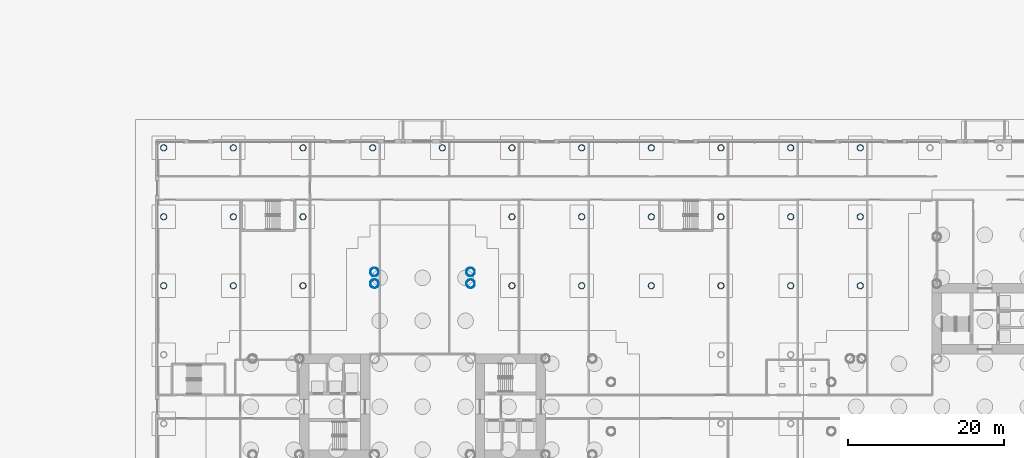
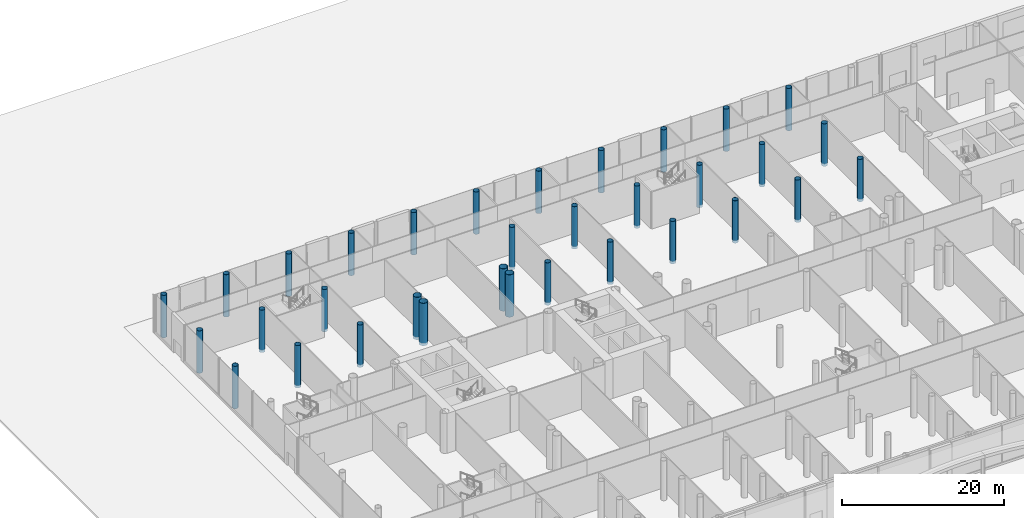
# One storey, part 4 of 75: 33 columns.
"""IFC4 building model written with IfcOpenShell, lengths in metres."""

from ifc_helpers import new_model, si_unit, direction, frame, origin, origin_2d, place, context, subcontext, project, spatial, hollow_circle, extrude, material, material_profile, profile_set, type_object, element, save


model = new_model("IFC4")

# Units and contexts
model_context = context("Model", 3, precision=1e-05, world=origin(), true_north=direction((0.0, 1.0)))
body_context = subcontext(model_context, "Body", "Model", "MODEL_VIEW")
ifc_project = project(units=[si_unit("LENGTHUNIT", "METRE"), si_unit("AREAUNIT", "SQUARE_METRE"), si_unit("VOLUMEUNIT", "CUBIC_METRE"), si_unit("PLANEANGLEUNIT", "RADIAN"), si_unit("MASSUNIT", "GRAM", prefix="KILO")], contexts=[model_context])

# Site, building, storey
site_placement = place(None, origin())
site = spatial("IfcSite", under=ifc_project, at=site_placement, CompositionType="ELEMENT")
building_placement = place(site_placement, origin())
building = spatial("IfcBuilding", under=site, at=building_placement, Name="Ipe Terrace Towers", CompositionType="ELEMENT")
storey_placement = place(building_placement, origin())
storey = spatial("IfcBuildingStorey", under=building, at=storey_placement, Name="L00", CompositionType="ELEMENT", Elevation=0.0)

# Columns
ifc_material_1 = material(Name="Steel S355 tube with Concrete C60/75 fill", Category="concrete")
ifc_material_profile_1 = material_profile(ifc_material_1, hollow_circle(Radius=0.550048828125, WallThickness=0.0400390625, at=origin_2d()), Name="CHS-1100x40")
ifc_profile_set_1 = profile_set([ifc_material_profile_1], Name="Steel S355 tube with Concrete C60/75 fill")
column_type_1 = type_object("IfcColumnType", Name="CH02 COLUMN CHS-1100x40", PredefinedType="COLUMN", material=ifc_profile_set_1)
for number, where, z_axis, x_axis, name in (
    (1, (-29.85009765625, 15.75, -0.39990234375), (0.0, 0.0, 1.0), (1.0, 0.0, 0.0), "Column T1-C-B03"),
    (2, (-42.14990234375, 15.75, -0.39990234375), (0.0, 0.0, 1.0), (1.0, 0.0, 0.0), "Column T1-C-B04"),
    (3, (-29.85009765625, 17.25, -0.39990234375), (0.0, 0.0, 1.0), (1.0, 0.0, 0.0), "Column T1-C-B05"),
    (4, (-42.14990234375, 17.25, -0.39990234375), (0.0, 0.0, 1.0), (1.0, 0.0, 0.0), "Column T1-C-B06"),
):
    element("IfcColumn", number, at=place(storey_placement, frame(where, z_axis=z_axis, x_axis=x_axis)), inside=storey, type_object=column_type_1, Name=name, PredefinedType="COLUMN", context=body_context, shape_type="SweptSolid", body=[
        extrude(hollow_circle(Radius=0.550048828125, WallThickness=0.0400390625, at=origin_2d()), origin(), (0.0, 0.0, 1.0), 6.39990234375),
    ])
ifc_material_2 = material(Name="Steel S355 tube with Concrete C60/75 fill", Category="concrete")
ifc_material_profile_2 = material_profile(ifc_material_2, hollow_circle(Radius=0.39990234375, WallThickness=0.028076171875, at=origin_2d()), Name="CHS-800x28")
ifc_profile_set_2 = profile_set([ifc_material_profile_2], Name="Steel S355 tube with Concrete C60/75 fill")
column_type_2 = type_object("IfcColumnType", Name="CH09 PODIUM COLUMN CHS-800x28", PredefinedType="COLUMN", material=ifc_profile_set_2)
for number, where, z_axis, x_axis, name in (
    (5, (-69.14990234375, 15.492919921875, -0.39990234375), (0.0, 0.0, 1.0), (1.0, 0.0, 0.0), "Column PD-C-I01"),
    (6, (-60.22998046875, 15.492919921875, -0.39990234375), (0.0, 0.0, 1.0), (1.0, 0.0, 0.0), "Column PD-C-I02"),
    (7, (-51.31005859375, 15.492919921875, -0.39990234375), (0.0, 0.0, 1.0), (1.0, 0.0, 0.0), "Column PD-C-I03"),
    (8, (-24.550048828125, 15.492919921875, -0.39990234375), (0.0, 0.0, 1.0), (1.0, 0.0, 0.0), "Column PD-C-I06"),
    (9, (-15.6298828125, 15.492919921875, -0.39990234375), (0.0, 0.0, 1.0), (1.0, 0.0, 0.0), "Column PD-C-I07"),
    (10, (-6.7099609375, 15.492919921875, -0.39990234375), (0.0, 0.0, 1.0), (1.0, 0.0, 0.0), "Column PD-C-I08"),
    (11, (2.2099609375, 15.492919921875, -0.39990234375), (0.0, 0.0, 1.0), (1.0, 0.0, 0.0), "Column PD-C-I09"),
    (12, (11.1298828125, 15.492919921875, -0.39990234375), (0.0, 0.0, 1.0), (1.0, 0.0, 0.0), "Column PD-C-I10"),
    (13, (20.050048828125, 15.492919921875, -0.39990234375), (0.0, 0.0, 1.0), (1.0, 0.0, 0.0), "Column PD-C-I11"),
    (14, (-69.14990234375, 24.321044921875, -0.39990234375), (0.0, 0.0, 1.0), (1.0, 0.0, 0.0), "Column PD-C-J01"),
    (15, (-60.22998046875, 24.321044921875, -0.39990234375), (0.0, 0.0, 1.0), (1.0, 0.0, 0.0), "Column PD-C-J02"),
    (16, (-51.31005859375, 24.321044921875, -0.39990234375), (0.0, 0.0, 1.0), (1.0, 0.0, 0.0), "Column PD-C-J03"),
    (17, (-24.550048828125, 24.321044921875, -0.39990234375), (0.0, 0.0, 1.0), (1.0, 0.0, 0.0), "Column PD-C-J06"),
    (18, (-15.6298828125, 24.321044921875, -0.39990234375), (0.0, 0.0, 1.0), (1.0, 0.0, 0.0), "Column PD-C-J07"),
    (19, (-6.7099609375, 24.321044921875, -0.39990234375), (0.0, 0.0, 1.0), (1.0, 0.0, 0.0), "Column PD-C-J08"),
    (20, (2.2099609375, 24.321044921875, -0.39990234375), (0.0, 0.0, 1.0), (1.0, 0.0, 0.0), "Column PD-C-J09"),
    (21, (11.1298828125, 24.321044921875, -0.39990234375), (0.0, 0.0, 1.0), (1.0, 0.0, 0.0), "Column PD-C-J10"),
    (22, (20.050048828125, 24.321044921875, -0.39990234375), (0.0, 0.0, 1.0), (1.0, 0.0, 0.0), "Column PD-C-J11"),
    (23, (-69.14990234375, 33.14990234375, -0.39990234375), (0.0, 0.0, 1.0), (1.0, 0.0, 0.0), "Column PD-C-K01"),
    (24, (-60.22998046875, 33.14990234375, -0.39990234375), (0.0, 0.0, 1.0), (1.0, 0.0, 0.0), "Column PD-C-K02"),
    (25, (-51.31005859375, 33.14990234375, -0.39990234375), (0.0, 0.0, 1.0), (1.0, 0.0, 0.0), "Column PD-C-K03"),
    (26, (-42.389892578125, 33.14990234375, -0.39990234375), (0.0, 0.0, 1.0), (1.0, 0.0, 0.0), "Column PD-C-K04"),
    (27, (-33.469970703125, 33.14990234375, -0.39990234375), (0.0, 0.0, 1.0), (1.0, 0.0, 0.0), "Column PD-C-K05"),
    (28, (-24.550048828125, 33.14990234375, -0.39990234375), (0.0, 0.0, 1.0), (1.0, 0.0, 0.0), "Column PD-C-K06"),
    (29, (-15.6298828125, 33.14990234375, -0.39990234375), (0.0, 0.0, 1.0), (1.0, 0.0, 0.0), "Column PD-C-K07"),
    (30, (-6.7099609375, 33.14990234375, -0.39990234375), (0.0, 0.0, 1.0), (1.0, 0.0, 0.0), "Column PD-C-K08"),
    (31, (2.2099609375, 33.14990234375, -0.39990234375), (0.0, 0.0, 1.0), (1.0, 0.0, 0.0), "Column PD-C-K09"),
    (32, (11.1298828125, 33.14990234375, -0.39990234375), (0.0, 0.0, 1.0), (1.0, 0.0, 0.0), "Column PD-C-K10"),
    (33, (20.050048828125, 33.14990234375, -0.39990234375), (0.0, 0.0, 1.0), (1.0, 0.0, 0.0), "Column PD-C-K11"),
):
    element("IfcColumn", number, at=place(storey_placement, frame(where, z_axis=z_axis, x_axis=x_axis)), inside=storey, type_object=column_type_2, Name=name, PredefinedType="COLUMN", context=body_context, shape_type="SweptSolid", body=[
        extrude(hollow_circle(Radius=0.39990234375, WallThickness=0.028076171875, at=origin_2d()), origin(), (0.0, 0.0, 1.0), 6.39990234375),
    ])

save(model, "model.ifc")
